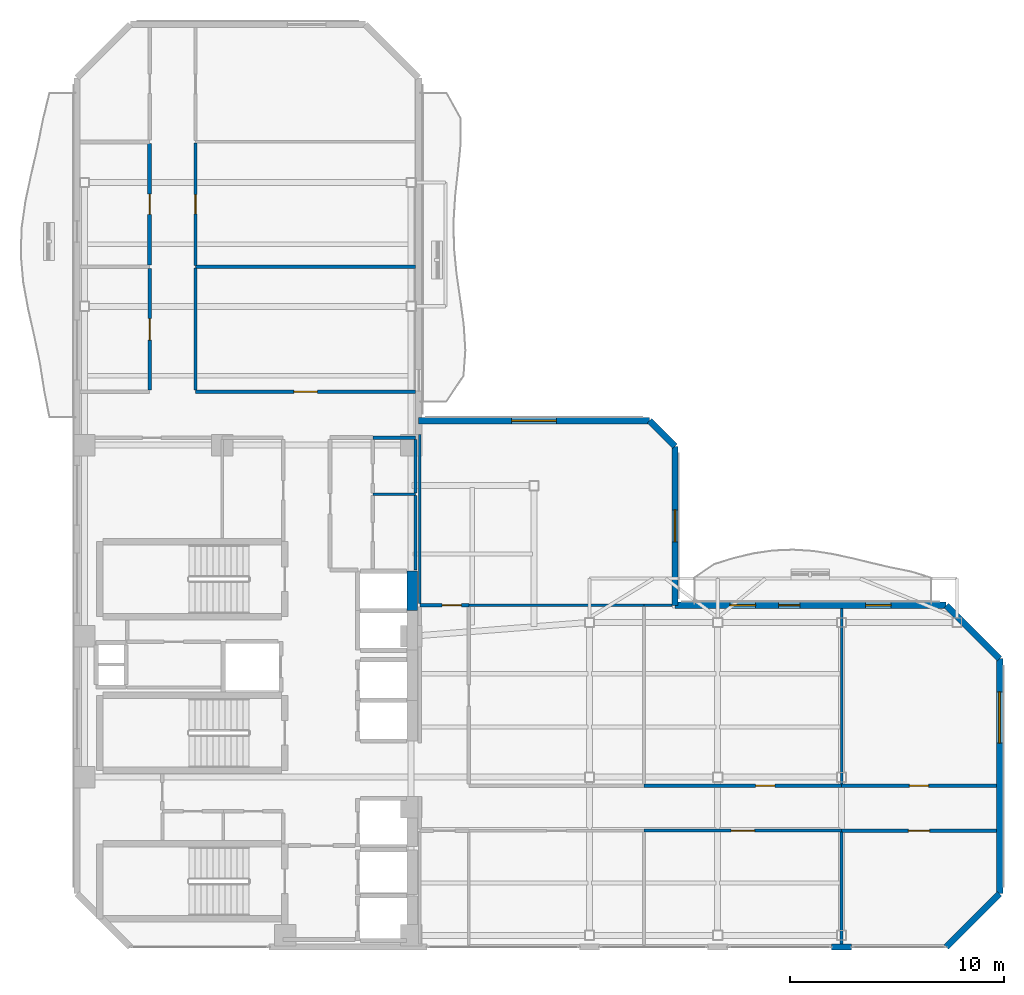
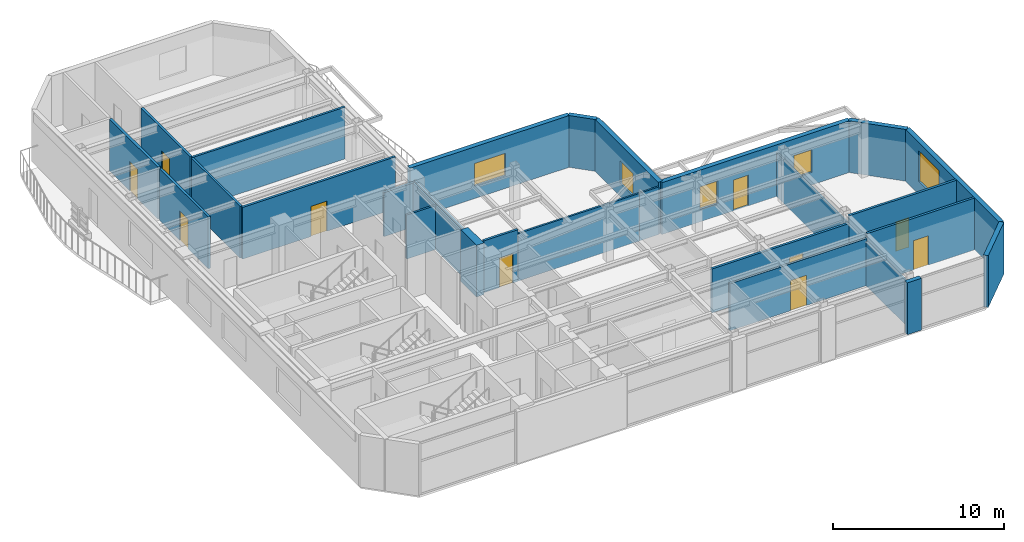
# One storey, part 11 of 17: 29 walls, 10 doors, 5 windows, 15 openings.
"""IFC4 building model written with IfcOpenShell, lengths in metres."""

from ifc_helpers import new_model, si_unit, direction, frame, frame_2d, origin, place, context, subcontext, project, spatial, rectangle, extrude, material, layer, layer_set, type_object, element, fill, save


model = new_model("IFC4")

# Units and contexts
model_context = context("Model", 3, precision=1e-05, world=origin(), true_north=direction((0.0, 1.0)))
body_context = subcontext(model_context, "Body", "Model", "MODEL_VIEW")
ifc_project = project(units=[si_unit("LENGTHUNIT", "METRE"), si_unit("AREAUNIT", "SQUARE_METRE"), si_unit("VOLUMEUNIT", "CUBIC_METRE"), si_unit("PLANEANGLEUNIT", "RADIAN"), si_unit("MASSUNIT", "GRAM", prefix="KILO")], contexts=[model_context])

# Site, building, storey
site_placement = place(None, origin())
site = spatial("IfcSite", under=ifc_project, at=site_placement, CompositionType="ELEMENT")
building_placement = place(site_placement, origin())
building = spatial("IfcBuilding", under=site, at=building_placement, Name="Mawjaban Terraces University", CompositionType="ELEMENT")
storey_placement = place(building_placement, frame((0.0, 0.0, 183.60009765625)))
storey = spatial("IfcBuildingStorey", under=building, at=storey_placement, Name="L44", CompositionType="ELEMENT", Elevation=183.60009765625)

# Wall, opening, door
ifc_material_1 = material(Name="Acoustic masonry blockwork", Category="masonry")
ifc_layer_1 = layer(ifc_material_1, 0.179931640625)
ifc_layer_set_1 = layer_set([ifc_layer_1], Name="Acoustic masonry blockwork")
wall_type_1 = type_object("IfcWallType", Name="AcousticStudioWall_180", PredefinedType="PARTITIONING", material=ifc_layer_set_1)
wall_1_placement = place(storey_placement, frame((25.39990234375, 37.614990234375, 0.0), z_axis=(0.0, 0.0, 1.0), x_axis=(0.0, -1.0, 0.0)))
wall_1 = element("IfcWall", 1, at=wall_1_placement, inside=storey, type_object=wall_type_1, Name="L44 West Shifted Academic Corridor Partition 31", PredefinedType="PARTITIONING", context=body_context, shape_type="SweptSolid", body=[
    extrude(rectangle(XDim=5.679931640625, YDim=0.179931640625, at=frame_2d((2.83984375, 0.0))), origin(), (0.0, 0.0, 1.0), 3.68994140625),
])
opening_1_placement = place(wall_1_placement, frame((2.364990234375, 0.0, 0.0)))
opening_1 = element("IfcOpeningElement", 2, at=opening_1_placement, cuts=wall_1, Name="Opening ID-095", PredefinedType="OPENING", context=body_context, shape_type="SweptSolid", body=[
    extrude(rectangle(XDim=0.949951171875, YDim=2.10009765625, at=frame_2d((0.47509765625, 1.050048828125))), frame((0.0, 0.099853515625, 0.0), z_axis=(0.0, -1.0, 0.0), x_axis=(1.0, 0.0, 0.0)), (0.0, 0.0, 1.0), 0.199951171875),
])
ifc_material_2 = material(Name="Powder-coated steel frame and solid acoustic timber leaf", Category="steel")
door_type_1 = type_object("IfcDoorType", Name="StudioDoor_950x2100", OperationType="NOTDEFINED", PredefinedType="DOOR", material=ifc_material_2)
door_1_placement = place(opening_1_placement, origin())
door_1 = element("IfcDoor", 3, at=door_1_placement, inside=storey, type_object=door_type_1, Name="L44 Design Studio 10 Door", OperationType="SINGLE_SWING_LEFT", OverallHeight=2.10009765625, OverallWidth=0.949951171875, PredefinedType="DOOR", context=body_context, shape_type="SweptSolid", body=[
    extrude(rectangle(XDim=0.949951171875, YDim=2.10009765625, at=frame_2d((0.47509765625, 1.050048828125))), frame((0.0, 0.02490234375, 0.0), z_axis=(0.0, -1.0, 0.0), x_axis=(1.0, 0.0, 0.0)), (0.0, 0.0, 1.0), 0.050048828125),
])
fill(opening_1, door_1)

# Walls
ifc_material_3 = material(Name="Concrete C60/75", Category="concrete")
ifc_layer_2 = layer(ifc_material_3, 0.5)
ifc_layer_set_2 = layer_set([ifc_layer_2], Name="Concrete C60/75")
wall_type_2 = type_object("IfcWallType", Name="CoreShearWall_500", PredefinedType="SHEAR", material=ifc_layer_set_2)
wall_2_placement = place(storey_placement, frame((37.699951171875, 15.75, 0.0), z_axis=(0.0, 0.0, 1.0), x_axis=(0.0, 1.0, 0.0)))
element("IfcWall", 4, at=wall_2_placement, inside=storey, type_object=wall_type_2, Name="L44 Lift OL-2 Hoistway Wall East", PredefinedType="SHEAR", context=body_context, shape_type="SweptSolid", body=[
    extrude(rectangle(XDim=1.85009765625, YDim=0.5, at=frame_2d((0.925048828125, 0.0))), origin(), (0.0, 0.0, 1.0), 3.68994140625),
])
ifc_material_4 = material(Name="Fire-rated gypsum board on steel stud", Category="steel")
ifc_layer_3 = layer(ifc_material_4, 0.159912109375)
ifc_layer_set_3 = layer_set([ifc_layer_3], Name="Fire-rated gypsum board on steel stud")
wall_type_3 = type_object("IfcWallType", Name="CorridorPartition_160", PredefinedType="PARTITIONING", material=ifc_layer_set_3)
wall_3_placement = place(storey_placement, frame((37.85009765625, 23.85009765625, 0.0), z_axis=(0.0, 0.0, 1.0), x_axis=(-1.0, 0.0, 0.0)))
element("IfcWall", 5, at=wall_3_placement, inside=storey, type_object=wall_type_3, Name="L44 Graduate Quiet Study Alcove Partition 15", PredefinedType="PARTITIONING", context=body_context, shape_type="SweptSolid", body=[
    extrude(rectangle(XDim=2.0, YDim=0.159912109375, at=frame_2d((1.0, 0.0))), origin(), (0.0, 0.0, 1.0), 3.138916015625),
])

# Wall, opening, door
wall_4_placement = place(storey_placement, frame((37.85009765625, 26.0, 0.0), z_axis=(0.0, 0.0, 1.0), x_axis=(-1.0, 0.0, 0.0)))
wall_4 = element("IfcWall", 6, at=wall_4_placement, inside=storey, type_object=wall_type_3, Name="L44 North Core Cross-Corridor Partition 16", PredefinedType="PARTITIONING", context=body_context, shape_type="SweptSolid", body=[
    extrude(rectangle(XDim=10.300048828125, YDim=0.159912109375, at=frame_2d((5.14990234375, 0.0))), origin(), (0.0, 0.0, 1.0), 3.68994140625),
])
opening_2_placement = place(wall_4_placement, frame((4.60009765625, 0.0, 0.0)))
opening_2 = element("IfcOpeningElement", 7, at=opening_2_placement, cuts=wall_4, Name="Opening ID-110", PredefinedType="OPENING", context=body_context, shape_type="SweptSolid", body=[
    extrude(rectangle(XDim=1.10009765625, YDim=2.14990234375, at=frame_2d((0.550048828125, 1.074951171875))), frame((0.0, 0.08984375, 0.0), z_axis=(0.0, -1.0, 0.0), x_axis=(1.0, 0.0, 0.0)), (0.0, 0.0, 1.0), 0.179931640625),
])
door_type_2 = type_object("IfcDoorType", Name="LabDoor_1100x2150", OperationType="NOTDEFINED", PredefinedType="DOOR", material=ifc_material_2)
door_2_placement = place(opening_2_placement, origin())
door_2 = element("IfcDoor", 8, at=door_2_placement, inside=storey, type_object=door_type_2, Name="L44 Computational Laboratory 9 Door", OperationType="SINGLE_SWING_RIGHT", OverallHeight=2.14990234375, OverallWidth=1.10009765625, PredefinedType="DOOR", context=body_context, shape_type="SweptSolid", body=[
    extrude(rectangle(XDim=1.10009765625, YDim=2.14990234375, at=frame_2d((0.550048828125, 1.074951171875))), frame((0.0, 0.02490234375, 0.0), z_axis=(0.0, -1.0, 0.0), x_axis=(1.0, 0.0, 0.0)), (0.0, 0.0, 1.0), 0.050048828125),
])
fill(opening_2, door_2)

wall_5_placement = place(storey_placement, frame((40.35009765625, 16.0, 0.0), z_axis=(0.0, 0.0, 1.0), x_axis=(-1.0, 0.0, 0.0)))
wall_5 = element("IfcWall", 9, at=wall_5_placement, inside=storey, type_object=wall_type_3, Name="L44 South Spine Spur Link Partition 21", PredefinedType="PARTITIONING", context=body_context, shape_type="SweptSolid", body=[
    extrude(rectangle(XDim=2.300048828125, YDim=0.159912109375, at=frame_2d((1.14990234375, 0.0))), origin(), (0.0, 0.0, 1.0), 3.68994140625),
])
opening_3_placement = place(wall_5_placement, frame((0.35009765625, 0.0, 0.0)))
opening_3 = element("IfcOpeningElement", 10, at=opening_3_placement, cuts=wall_5, Name="Opening ID-090", PredefinedType="OPENING", context=body_context, shape_type="SweptSolid", body=[
    extrude(rectangle(XDim=0.89990234375, YDim=2.10009765625, at=frame_2d((0.449951171875, 1.050048828125))), frame((0.0, 0.08984375, 0.0), z_axis=(0.0, -1.0, 0.0), x_axis=(1.0, 0.0, 0.0)), (0.0, 0.0, 1.0), 0.179931640625),
])
door_type_3 = type_object("IfcDoorType", Name="OfficeDoor_900x2100", OperationType="NOTDEFINED", PredefinedType="DOOR", material=ifc_material_2)
door_3_placement = place(opening_3_placement, origin())
door_3 = element("IfcDoor", 11, at=door_3_placement, inside=storey, type_object=door_type_3, Name="L44 Terrace Collaborative Study Room Door", OperationType="SINGLE_SWING_LEFT", OverallHeight=2.10009765625, OverallWidth=0.89990234375, PredefinedType="DOOR", context=body_context, shape_type="SweptSolid", body=[
    extrude(rectangle(XDim=0.89990234375, YDim=2.10009765625, at=frame_2d((0.449951171875, 1.050048828125))), frame((0.0, 0.02490234375, 0.0), z_axis=(0.0, -1.0, 0.0), x_axis=(1.0, 0.0, 0.0)), (0.0, 0.0, 1.0), 0.050048828125),
])
fill(opening_3, door_3)

wall_6_placement = place(storey_placement, frame((57.800048828125, 5.449951171875, 0.0), z_axis=(0.0, 0.0, 1.0), x_axis=(1.0, 0.0, 0.0)))
wall_6 = element("IfcWall", 12, at=wall_6_placement, inside=storey, type_object=wall_type_3, Name="L44 South Shifted Academic Corridor Partition 26", PredefinedType="PARTITIONING", context=body_context, shape_type="SweptSolid", body=[
    extrude(rectangle(XDim=7.2548828125, YDim=0.159912109375, at=frame_2d((3.62744140625, 0.0))), origin(), (0.0, 0.0, 1.0), 3.68994140625),
])
opening_4_placement = place(wall_6_placement, frame((3.1279296875, 0.0, 0.0)))
opening_4 = element("IfcOpeningElement", 13, at=opening_4_placement, cuts=wall_6, Name="Opening ID-100", PredefinedType="OPENING", context=body_context, shape_type="SweptSolid", body=[
    extrude(rectangle(XDim=1.0, YDim=2.10009765625, at=frame_2d((0.5, 1.050048828125))), frame((0.0, 0.08984375, 0.0), z_axis=(0.0, -1.0, 0.0), x_axis=(1.0, 0.0, 0.0)), (0.0, 0.0, 1.0), 0.179931640625),
])
door_type_4 = type_object("IfcDoorType", Name="ClassroomDoor_1000x2100", OperationType="NOTDEFINED", PredefinedType="DOOR", material=ifc_material_2)
door_4_placement = place(opening_4_placement, origin())
door_4 = element("IfcDoor", 14, at=door_4_placement, inside=storey, type_object=door_type_4, Name="L44 Classroom 6 Door", OperationType="SINGLE_SWING_LEFT", OverallHeight=2.10009765625, OverallWidth=1.0, PredefinedType="DOOR", context=body_context, shape_type="SweptSolid", body=[
    extrude(rectangle(XDim=1.0, YDim=2.10009765625, at=frame_2d((0.5, 1.050048828125))), frame((0.0, 0.02490234375, 0.0), z_axis=(0.0, -1.0, 0.0), x_axis=(1.0, 0.0, 0.0)), (0.0, 0.0, 1.0), 0.050048828125),
])
fill(opening_4, door_4)

wall_7_placement = place(storey_placement, frame((57.800048828125, 7.550048828125, 0.0), z_axis=(0.0, 0.0, 1.0), x_axis=(-1.0, 0.0, 0.0)))
wall_7 = element("IfcWall", 15, at=wall_7_placement, inside=storey, type_object=wall_type_3, Name="L44 South Shifted Academic Corridor Partition 27", PredefinedType="PARTITIONING", context=body_context, shape_type="SweptSolid", body=[
    extrude(rectangle(XDim=9.25, YDim=0.159912109375, at=frame_2d((4.625, 0.0))), origin(), (0.0, 0.0, 1.0), 3.138916015625),
])
opening_5_placement = place(wall_7_placement, frame((3.125, 0.0, 0.0)))
opening_5 = element("IfcOpeningElement", 16, at=opening_5_placement, cuts=wall_7, Name="Opening ID-090", PredefinedType="OPENING", context=body_context, shape_type="SweptSolid", body=[
    extrude(rectangle(XDim=0.89990234375, YDim=2.10009765625, at=frame_2d((0.449951171875, 1.050048828125))), frame((0.0, 0.08984375, 0.0), z_axis=(0.0, -1.0, 0.0), x_axis=(1.0, 0.0, 0.0)), (0.0, 0.0, 1.0), 0.179931640625),
])
door_5_placement = place(opening_5_placement, origin())
door_5 = element("IfcDoor", 17, at=door_5_placement, inside=storey, type_object=door_type_3, Name="L44 Seminar Room 5 Door", OperationType="SINGLE_SWING_RIGHT", OverallHeight=2.10009765625, OverallWidth=0.89990234375, PredefinedType="DOOR", context=body_context, shape_type="SweptSolid", body=[
    extrude(rectangle(XDim=0.89990234375, YDim=2.10009765625, at=frame_2d((0.449951171875, 1.050048828125))), frame((0.0, 0.02490234375, 0.0), z_axis=(0.0, -1.0, 0.0), x_axis=(1.0, 0.0, 0.0)), (0.0, 0.0, 1.0), 0.050048828125),
])
fill(opening_5, door_5)

wall_8_placement = place(storey_placement, frame((65.054931640625, 7.550048828125, 0.0), z_axis=(0.0, 0.0, 1.0), x_axis=(-1.0, 0.0, 0.0)))
wall_8 = element("IfcWall", 18, at=wall_8_placement, inside=storey, type_object=wall_type_3, Name="L44 South Shifted Academic Corridor Partition 28", PredefinedType="PARTITIONING", context=body_context, shape_type="SweptSolid", body=[
    extrude(rectangle(XDim=7.2548828125, YDim=0.159912109375, at=frame_2d((3.62744140625, 0.0))), origin(), (0.0, 0.0, 1.0), 3.68994140625),
])
opening_6_placement = place(wall_8_placement, frame((3.177978515625, 0.0, 0.0)))
opening_6 = element("IfcOpeningElement", 19, at=opening_6_placement, cuts=wall_8, Name="Opening ID-090", PredefinedType="OPENING", context=body_context, shape_type="SweptSolid", body=[
    extrude(rectangle(XDim=0.89990234375, YDim=2.10009765625, at=frame_2d((0.449951171875, 1.050048828125))), frame((0.0, 0.08984375, 0.0), z_axis=(0.0, -1.0, 0.0), x_axis=(1.0, 0.0, 0.0)), (0.0, 0.0, 1.0), 0.179931640625),
])
door_6_placement = place(opening_6_placement, origin())
door_6 = element("IfcDoor", 20, at=door_6_placement, inside=storey, type_object=door_type_3, Name="L44 Faculty Office 7 Door", OperationType="SINGLE_SWING_RIGHT", OverallHeight=2.10009765625, OverallWidth=0.89990234375, PredefinedType="DOOR", context=body_context, shape_type="SweptSolid", body=[
    extrude(rectangle(XDim=0.89990234375, YDim=2.10009765625, at=frame_2d((0.449951171875, 1.050048828125))), frame((0.0, 0.02490234375, 0.0), z_axis=(0.0, -1.0, 0.0), x_axis=(1.0, 0.0, 0.0)), (0.0, 0.0, 1.0), 0.050048828125),
])
fill(opening_6, door_6)

wall_9_placement = place(storey_placement, frame((25.39990234375, 31.764892578125, 0.0), z_axis=(0.0, 0.0, 1.0), x_axis=(0.0, -1.0, 0.0)))
wall_9 = element("IfcWall", 21, at=wall_9_placement, inside=storey, type_object=wall_type_3, Name="L44 West Shifted Academic Corridor Partition 30", PredefinedType="PARTITIONING", context=body_context, shape_type="SweptSolid", body=[
    extrude(rectangle(XDim=5.68994140625, YDim=0.159912109375, at=frame_2d((2.844970703125, 0.0))), origin(), (0.0, 0.0, 1.0), 3.68994140625),
])
opening_7_placement = place(wall_9_placement, frame((2.344970703125, 0.0, 0.0)))
opening_7 = element("IfcOpeningElement", 22, at=opening_7_placement, cuts=wall_9, Name="Opening ID-100", PredefinedType="OPENING", context=body_context, shape_type="SweptSolid", body=[
    extrude(rectangle(XDim=1.0, YDim=2.10009765625, at=frame_2d((0.5, 1.050048828125))), frame((0.0, 0.08984375, 0.0), z_axis=(0.0, -1.0, 0.0), x_axis=(1.0, 0.0, 0.0)), (0.0, 0.0, 1.0), 0.179931640625),
])
door_7_placement = place(opening_7_placement, origin())
door_7 = element("IfcDoor", 23, at=door_7_placement, inside=storey, type_object=door_type_4, Name="L44 Classroom 8 Door", OperationType="SINGLE_SWING_LEFT", OverallHeight=2.10009765625, OverallWidth=1.0, PredefinedType="DOOR", context=body_context, shape_type="SweptSolid", body=[
    extrude(rectangle(XDim=1.0, YDim=2.10009765625, at=frame_2d((0.5, 1.050048828125))), frame((0.0, 0.02490234375, 0.0), z_axis=(0.0, -1.0, 0.0), x_axis=(1.0, 0.0, 0.0)), (0.0, 0.0, 1.0), 0.050048828125),
])
fill(opening_7, door_7)

wall_10_placement = place(storey_placement, frame((27.550048828125, 31.91796875, 0.0), z_axis=(0.0, 0.0, 1.0), x_axis=(0.0, 1.0, 0.0)))
wall_10 = element("IfcWall", 24, at=wall_10_placement, inside=storey, type_object=wall_type_3, Name="L44 West Shifted Academic Corridor Partition 36", PredefinedType="PARTITIONING", context=body_context, shape_type="SweptSolid", body=[
    extrude(rectangle(XDim=5.72509765625, YDim=0.159912109375, at=frame_2d((2.862548828125, 0.0))), origin(), (0.0, 0.0, 1.0), 3.68994140625),
])
opening_8_placement = place(wall_10_placement, frame((2.4130859375, 0.0, 0.0)))
opening_8 = element("IfcOpeningElement", 25, at=opening_8_placement, cuts=wall_10, Name="Opening ID-090", PredefinedType="OPENING", context=body_context, shape_type="SweptSolid", body=[
    extrude(rectangle(XDim=0.89990234375, YDim=2.10009765625, at=frame_2d((0.449951171875, 1.050048828125))), frame((0.0, 0.08984375, 0.0), z_axis=(0.0, -1.0, 0.0), x_axis=(1.0, 0.0, 0.0)), (0.0, 0.0, 1.0), 0.179931640625),
])
door_8_placement = place(opening_8_placement, origin())
door_8 = element("IfcDoor", 26, at=door_8_placement, inside=storey, type_object=door_type_3, Name="L44 Faculty Office 11 Door", OperationType="SINGLE_SWING_RIGHT", OverallHeight=2.10009765625, OverallWidth=0.89990234375, PredefinedType="DOOR", context=body_context, shape_type="SweptSolid", body=[
    extrude(rectangle(XDim=0.89990234375, YDim=2.10009765625, at=frame_2d((0.449951171875, 1.050048828125))), frame((0.0, 0.02490234375, 0.0), z_axis=(0.0, -1.0, 0.0), x_axis=(1.0, 0.0, 0.0)), (0.0, 0.0, 1.0), 0.050048828125),
])
fill(opening_8, door_8)

# Walls
ifc_material_5 = material(Name="Insulated terracotta rainscreen on concrete backup C40/50", Category="masonry")
ifc_layer_4 = layer(ifc_material_5, 0.300048828125)
ifc_layer_set_4 = layer_set([ifc_layer_4], Name="Insulated terracotta rainscreen on concrete backup C40/50")
wall_type_4 = type_object("IfcWallType", Name="ExtTerracottaWall_300", PredefinedType="SOLIDWALL", material=ifc_layer_set_4)
wall_11_placement = place(storey_placement, frame((57.324951171875, 0.0, 0.0), z_axis=(0.0, 0.0, 1.0), x_axis=(1.0, 0.0, 0.0)))
element("IfcWall", 27, at=wall_11_placement, inside=storey, type_object=wall_type_4, Name="L44 Exterior Terracotta Pier Wall 1.4", PredefinedType="SOLIDWALL", context=body_context, shape_type="SweptSolid", body=[
    extrude(rectangle(XDim=0.949951171875, YDim=0.300048828125, at=frame_2d((0.47509765625, 0.0))), origin(), (0.0, 0.0, 1.0), 3.68994140625),
])
wall_12_placement = place(storey_placement, frame((62.699951171875, 0.0, 0.0), z_axis=(0.0, 0.0, 1.0), x_axis=(0.707106781187, 0.707106781187, 0.0)))
element("IfcWall", 28, at=wall_12_placement, inside=storey, type_object=wall_type_4, Name="L44 Exterior Terracotta Wall 2", PredefinedType="SOLIDWALL", context=body_context, shape_type="SweptSolid", body=[
    extrude(rectangle(XDim=3.53564453125, YDim=0.300048828125, at=frame_2d((1.767822265625, 0.0))), origin(), (0.0, 0.0, 1.0), 3.68994140625),
])

# Wall, opening, window
wall_13_placement = place(storey_placement, frame((65.199951171875, 2.5, 0.0), z_axis=(0.0, 0.0, 1.0), x_axis=(0.0, 1.0, 0.0)))
wall_13 = element("IfcWall", 29, at=wall_13_placement, inside=storey, type_object=wall_type_4, Name="L44 Exterior Terracotta Wall 3", PredefinedType="SOLIDWALL", context=body_context, shape_type="SweptSolid", body=[
    extrude(rectangle(XDim=11.0, YDim=0.300048828125, at=frame_2d((5.5, 0.0))), origin(), (0.0, 0.0, 1.0), 3.68994140625),
])
opening_9_placement = place(wall_13_placement, frame((7.050048828125, 0.0, 0.89990234375)))
opening_9 = element("IfcOpeningElement", 30, at=opening_9_placement, cuts=wall_13, Name="Opening W-11", PredefinedType="OPENING", context=body_context, shape_type="SweptSolid", body=[
    extrude(rectangle(XDim=2.39990234375, YDim=2.199951171875, at=frame_2d((1.199951171875, 1.10009765625))), frame((0.0, 0.159912109375, 0.0), z_axis=(0.0, -1.0, 0.0), x_axis=(1.0, 0.0, 0.0)), (0.0, 0.0, 1.0), 0.320068359375),
])
ifc_material_6 = material(Name="Low-E solar-control double glazing in thermally broken aluminium frame", Category="aluminium")
window_type_1 = type_object("IfcWindowType", Name="Win_2400x2200", PartitioningType="SINGLE_PANEL", PredefinedType="WINDOW", material=ifc_material_6)
window_1_placement = place(opening_9_placement, origin())
window_1 = element("IfcWindow", 31, at=window_1_placement, inside=storey, type_object=window_type_1, Name="L44 Facade Window 3.2", OverallHeight=2.199951171875, OverallWidth=2.39990234375, PartitioningType="SINGLE_PANEL", PredefinedType="WINDOW", context=body_context, shape_type="SweptSolid", body=[
    extrude(rectangle(XDim=2.39990234375, YDim=2.199951171875, at=frame_2d((1.199951171875, 1.10009765625))), frame((0.0, 0.030029296875, 0.0), z_axis=(0.0, -1.0, 0.0), x_axis=(1.0, 0.0, 0.0)), (0.0, 0.0, 1.0), 0.06005859375),
])
fill(opening_9, window_1)

# Wall
wall_14_placement = place(storey_placement, frame((65.199951171875, 13.5, 0.0), z_axis=(0.0, 0.0, 1.0), x_axis=(-0.707106781187, 0.707106781187, 0.0)))
element("IfcWall", 32, at=wall_14_placement, inside=storey, type_object=wall_type_4, Name="L44 Exterior Terracotta Wall 4", PredefinedType="SOLIDWALL", context=body_context, shape_type="SweptSolid", body=[
    extrude(rectangle(XDim=3.53564453125, YDim=0.300048828125, at=frame_2d((1.767822265625, 0.0))), origin(), (0.0, 0.0, 1.0), 3.68994140625),
])

# Wall, openings, door, windows
wall_15_placement = place(storey_placement, frame((62.699951171875, 16.0, 0.0), z_axis=(0.0, 0.0, 1.0), x_axis=(-1.0, 0.0, 0.0)))
wall_15 = element("IfcWall", 33, at=wall_15_placement, inside=storey, type_object=wall_type_4, Name="L44 Exterior Terracotta Wall 5", PredefinedType="SOLIDWALL", context=body_context, shape_type="SweptSolid", body=[
    extrude(rectangle(XDim=12.699951171875, YDim=0.300048828125, at=frame_2d((6.35009765625, 0.0))), origin(), (0.0, 0.0, 1.0), 3.68994140625),
])
opening_10_placement = place(wall_15_placement, frame((6.85009765625, 0.0, 0.0)))
opening_10 = element("IfcOpeningElement", 34, at=opening_10_placement, cuts=wall_15, Name="Opening BD-100", PredefinedType="OPENING", context=body_context, shape_type="SweptSolid", body=[
    extrude(rectangle(XDim=1.0, YDim=2.199951171875, at=frame_2d((0.5, 1.10009765625))), frame((0.0, 0.159912109375, 0.0), z_axis=(0.0, -1.0, 0.0), x_axis=(1.0, 0.0, 0.0)), (0.0, 0.0, 1.0), 0.320068359375),
])
opening_11_placement = place(wall_15_placement, frame((2.574951171875, 0.0, 0.89990234375)))
opening_11 = element("IfcOpeningElement", 35, at=opening_11_placement, cuts=wall_15, Name="Opening W-01", PredefinedType="OPENING", context=body_context, shape_type="SweptSolid", body=[
    extrude(rectangle(XDim=1.199951171875, YDim=1.60009765625, at=frame_2d((0.60009765625, 0.800048828125))), frame((0.0, 0.159912109375, 0.0), z_axis=(0.0, -1.0, 0.0), x_axis=(1.0, 0.0, 0.0)), (0.0, 0.0, 1.0), 0.320068359375),
])
opening_12_placement = place(wall_15_placement, frame((8.925048828125, 0.0, 0.89990234375)))
opening_12 = element("IfcOpeningElement", 36, at=opening_12_placement, cuts=wall_15, Name="Opening W-01", PredefinedType="OPENING", context=body_context, shape_type="SweptSolid", body=[
    extrude(rectangle(XDim=1.199951171875, YDim=1.60009765625, at=frame_2d((0.60009765625, 0.800048828125))), frame((0.0, 0.159912109375, 0.0), z_axis=(0.0, -1.0, 0.0), x_axis=(1.0, 0.0, 0.0)), (0.0, 0.0, 1.0), 0.320068359375),
])
ifc_material_7 = material(Name="Thermally broken anodised aluminium and laminated safety glass", Category="aluminium")
door_type_5 = type_object("IfcDoorType", Name="BalconyGlazedDoor_1000x2200", OperationType="NOTDEFINED", PredefinedType="DOOR", material=ifc_material_7)
door_9_placement = place(opening_10_placement, origin())
door_9 = element("IfcDoor", 37, at=door_9_placement, inside=storey, type_object=door_type_5, Name="L44 Balcony Access Door inner_north", OperationType="SINGLE_SWING_LEFT", OverallHeight=2.199951171875, OverallWidth=1.0, PredefinedType="DOOR", context=body_context, shape_type="SweptSolid", body=[
    extrude(rectangle(XDim=1.0, YDim=2.199951171875, at=frame_2d((0.5, 1.10009765625))), frame((0.0, 0.02490234375, 0.0), z_axis=(0.0, -1.0, 0.0), x_axis=(1.0, 0.0, 0.0)), (0.0, 0.0, 1.0), 0.050048828125),
])
fill(opening_10, door_9)
window_type_2 = type_object("IfcWindowType", Name="Win_1200x1600", PartitioningType="SINGLE_PANEL", PredefinedType="WINDOW", material=ifc_material_6)
window_2_placement = place(opening_11_placement, origin())
window_2 = element("IfcWindow", 38, at=window_2_placement, inside=storey, type_object=window_type_2, Name="L44 Facade Window 5.1", OverallHeight=1.60009765625, OverallWidth=1.199951171875, PartitioningType="SINGLE_PANEL", PredefinedType="WINDOW", context=body_context, shape_type="SweptSolid", body=[
    extrude(rectangle(XDim=1.199951171875, YDim=1.60009765625, at=frame_2d((0.60009765625, 0.800048828125))), frame((0.0, 0.030029296875, 0.0), z_axis=(0.0, -1.0, 0.0), x_axis=(1.0, 0.0, 0.0)), (0.0, 0.0, 1.0), 0.06005859375),
])
fill(opening_11, window_2)
window_3_placement = place(opening_12_placement, origin())
window_3 = element("IfcWindow", 39, at=window_3_placement, inside=storey, type_object=window_type_2, Name="L44 Facade Window 5.2", OverallHeight=1.60009765625, OverallWidth=1.199951171875, PartitioningType="SINGLE_PANEL", PredefinedType="WINDOW", context=body_context, shape_type="SweptSolid", body=[
    extrude(rectangle(XDim=1.199951171875, YDim=1.60009765625, at=frame_2d((0.60009765625, 0.800048828125))), frame((0.0, 0.030029296875, 0.0), z_axis=(0.0, -1.0, 0.0), x_axis=(1.0, 0.0, 0.0)), (0.0, 0.0, 1.0), 0.06005859375),
])
fill(opening_12, window_3)

# Wall, opening, window
wall_16_placement = place(storey_placement, frame((50.0, 16.0, 0.0), z_axis=(0.0, 0.0, 1.0), x_axis=(0.0, 1.0, 0.0)))
wall_16 = element("IfcWall", 40, at=wall_16_placement, inside=storey, type_object=wall_type_4, Name="L44 Exterior Terracotta Wall 6", PredefinedType="SOLIDWALL", context=body_context, shape_type="SweptSolid", body=[
    extrude(rectangle(XDim=7.43994140625, YDim=0.300048828125, at=frame_2d((3.719970703125, 0.0))), origin(), (0.0, 0.0, 1.0), 3.68994140625),
])
opening_13_placement = place(wall_16_placement, frame((2.969970703125, 0.0, 0.89990234375)))
opening_13 = element("IfcOpeningElement", 41, at=opening_13_placement, cuts=wall_16, Name="Opening W-02", PredefinedType="OPENING", context=body_context, shape_type="SweptSolid", body=[
    extrude(rectangle(XDim=1.5, YDim=1.60009765625, at=frame_2d((0.75, 0.800048828125))), frame((0.0, 0.159912109375, 0.0), z_axis=(0.0, -1.0, 0.0), x_axis=(1.0, 0.0, 0.0)), (0.0, 0.0, 1.0), 0.320068359375),
])
window_type_3 = type_object("IfcWindowType", Name="Win_1500x1600", PartitioningType="SINGLE_PANEL", PredefinedType="WINDOW", material=ifc_material_6)
window_4_placement = place(opening_13_placement, origin())
window_4 = element("IfcWindow", 42, at=window_4_placement, inside=storey, type_object=window_type_3, Name="L44 Facade Window 6.1", OverallHeight=1.60009765625, OverallWidth=1.5, PartitioningType="SINGLE_PANEL", PredefinedType="WINDOW", context=body_context, shape_type="SweptSolid", body=[
    extrude(rectangle(XDim=1.5, YDim=1.60009765625, at=frame_2d((0.75, 0.800048828125))), frame((0.0, 0.030029296875, 0.0), z_axis=(0.0, -1.0, 0.0), x_axis=(1.0, 0.0, 0.0)), (0.0, 0.0, 1.0), 0.06005859375),
])
fill(opening_13, window_4)

# Wall
wall_17_placement = place(storey_placement, frame((50.0, 23.43994140625, 0.0), z_axis=(0.0, 0.0, 1.0), x_axis=(-0.707106781187, 0.707106781187, 0.0)))
element("IfcWall", 43, at=wall_17_placement, inside=storey, type_object=wall_type_4, Name="L44 Exterior Terracotta Wall 7", PredefinedType="SOLIDWALL", context=body_context, shape_type="SweptSolid", body=[
    extrude(rectangle(XDim=1.697021484375, YDim=0.300048828125, at=frame_2d((0.8486328125, 0.0))), origin(), (0.0, 0.0, 1.0), 3.68994140625),
])

# Wall, opening, window
wall_18_placement = place(storey_placement, frame((48.800048828125, 24.639892578125, 0.0), z_axis=(0.0, 0.0, 1.0), x_axis=(-1.0, 0.0, 0.0)))
wall_18 = element("IfcWall", 44, at=wall_18_placement, inside=storey, type_object=wall_type_4, Name="L44 Exterior Terracotta Wall 8", PredefinedType="SOLIDWALL", context=body_context, shape_type="SweptSolid", body=[
    extrude(rectangle(XDim=10.800048828125, YDim=0.300048828125, at=frame_2d((5.39990234375, 0.0))), origin(), (0.0, 0.0, 1.0), 3.68994140625),
])
opening_14_placement = place(wall_18_placement, frame((4.35009765625, 0.0, 0.89990234375)))
opening_14 = element("IfcOpeningElement", 45, at=opening_14_placement, cuts=wall_18, Name="Opening W-04", PredefinedType="OPENING", context=body_context, shape_type="SweptSolid", body=[
    extrude(rectangle(XDim=2.10009765625, YDim=1.60009765625, at=frame_2d((1.050048828125, 0.800048828125))), frame((0.0, 0.159912109375, 0.0), z_axis=(0.0, -1.0, 0.0), x_axis=(1.0, 0.0, 0.0)), (0.0, 0.0, 1.0), 0.320068359375),
])
window_type_4 = type_object("IfcWindowType", Name="Win_2100x1600", PartitioningType="SINGLE_PANEL", PredefinedType="WINDOW", material=ifc_material_6)
window_5_placement = place(opening_14_placement, origin())
window_5 = element("IfcWindow", 46, at=window_5_placement, inside=storey, type_object=window_type_4, Name="L44 Facade Window 8.1", OverallHeight=1.60009765625, OverallWidth=2.10009765625, PartitioningType="SINGLE_PANEL", PredefinedType="WINDOW", context=body_context, shape_type="SweptSolid", body=[
    extrude(rectangle(XDim=2.10009765625, YDim=1.60009765625, at=frame_2d((1.050048828125, 0.800048828125))), frame((0.0, 0.030029296875, 0.0), z_axis=(0.0, -1.0, 0.0), x_axis=(1.0, 0.0, 0.0)), (0.0, 0.0, 1.0), 0.06005859375),
])
fill(opening_14, window_5)

# Wall
ifc_material_8 = material(Name="Moisture-resistant gypsum board on steel stud", Category="steel")
ifc_layer_5 = layer(ifc_material_8, 0.14501953125)
ifc_layer_set_5 = layer_set([ifc_layer_5], Name="Moisture-resistant gypsum board on steel stud")
wall_type_5 = type_object("IfcWallType", Name="LabPartition_145", PredefinedType="PARTITIONING", material=ifc_layer_set_5)
wall_19_placement = place(storey_placement, frame((37.85009765625, 31.85009765625, 0.0), z_axis=(0.0, 0.0, 1.0), x_axis=(-1.0, 0.0, 0.0)))
element("IfcWall", 47, at=wall_19_placement, inside=storey, type_object=wall_type_5, Name="L44 Computational Laboratory 9 Partition 17", PredefinedType="PARTITIONING", context=body_context, shape_type="SweptSolid", body=[
    extrude(rectangle(XDim=10.300048828125, YDim=0.14501953125, at=frame_2d((5.14990234375, 0.0))), origin(), (0.0, 0.0, 1.0), 3.68994140625),
])

# Wall, opening, door
wall_20_placement = place(storey_placement, frame((48.550048828125, 5.449951171875, 0.0), z_axis=(0.0, 0.0, 1.0), x_axis=(1.0, 0.0, 0.0)))
wall_20 = element("IfcWall", 48, at=wall_20_placement, inside=storey, type_object=wall_type_5, Name="L44 South Shifted Academic Corridor Partition 22", PredefinedType="PARTITIONING", context=body_context, shape_type="SweptSolid", body=[
    extrude(rectangle(XDim=9.25, YDim=0.14501953125, at=frame_2d((4.625, 0.0))), origin(), (0.0, 0.0, 1.0), 3.343017578125),
])
opening_15_placement = place(wall_20_placement, frame((4.074951171875, 0.0, 0.0)))
opening_15 = element("IfcOpeningElement", 49, at=opening_15_placement, cuts=wall_20, Name="Opening ID-110", PredefinedType="OPENING", context=body_context, shape_type="SweptSolid", body=[
    extrude(rectangle(XDim=1.10009765625, YDim=2.14990234375, at=frame_2d((0.550048828125, 1.074951171875))), frame((0.0, 0.08251953125, 0.0), z_axis=(0.0, -1.0, 0.0), x_axis=(1.0, 0.0, 0.0)), (0.0, 0.0, 1.0), 0.1650390625),
])
door_10_placement = place(opening_15_placement, origin())
door_10 = element("IfcDoor", 50, at=door_10_placement, inside=storey, type_object=door_type_2, Name="L44 Teaching Laboratory 4 Door", OperationType="SINGLE_SWING_LEFT", OverallHeight=2.14990234375, OverallWidth=1.10009765625, PredefinedType="DOOR", context=body_context, shape_type="SweptSolid", body=[
    extrude(rectangle(XDim=1.10009765625, YDim=2.14990234375, at=frame_2d((0.550048828125, 1.074951171875))), frame((0.0, 0.02490234375, 0.0), z_axis=(0.0, -1.0, 0.0), x_axis=(1.0, 0.0, 0.0)), (0.0, 0.0, 1.0), 0.050048828125),
])
fill(opening_15, door_10)

# Walls
wall_21_placement = place(storey_placement, frame((27.550048828125, 26.074951171875, 0.0), z_axis=(0.0, 0.0, 1.0), x_axis=(0.0, 1.0, 0.0)))
element("IfcWall", 51, at=wall_21_placement, inside=storey, type_object=wall_type_5, Name="L44 West Shifted Academic Corridor Partition 35", PredefinedType="PARTITIONING", context=body_context, shape_type="SweptSolid", body=[
    extrude(rectangle(XDim=5.7080078125, YDim=0.14501953125, at=frame_2d((2.85400390625, 0.0))), origin(), (0.0, 0.0, 1.0), 3.68994140625),
])
wall_22_placement = place(storey_placement, frame((57.800048828125, 0.14501953125, 0.0), z_axis=(0.0, 0.0, 1.0), x_axis=(0.0, 1.0, 0.0)))
element("IfcWall", 52, at=wall_22_placement, inside=storey, type_object=wall_type_5, Name="L44 Teaching Laboratory 4 Partition 55", PredefinedType="PARTITIONING", context=body_context, shape_type="SweptSolid", body=[
    extrude(rectangle(XDim=5.22998046875, YDim=0.14501953125, at=frame_2d((2.614990234375, 0.0))), origin(), (0.0, 0.0, 1.0), 3.138916015625),
])
ifc_material_9 = material(Name="Gypsum plasterboard on steel stud", Category="steel")
ifc_layer_6 = layer(ifc_material_9, 0.125)
ifc_layer_set_6 = layer_set([ifc_layer_6], Name="Gypsum plasterboard on steel stud")
wall_type_6 = type_object("IfcWallType", Name="OfficePartition_125", PredefinedType="PARTITIONING", material=ifc_layer_set_6)
wall_23_placement = place(storey_placement, frame((35.85009765625, 21.199951171875, 0.0), z_axis=(0.0, 0.0, 1.0), x_axis=(1.0, 0.0, 0.0)))
element("IfcWall", 53, at=wall_23_placement, inside=storey, type_object=wall_type_6, Name="L44 Graduate Quiet Study Alcove Partition 13", PredefinedType="PARTITIONING", context=body_context, shape_type="SweptSolid", body=[
    extrude(rectangle(XDim=2.0, YDim=0.125, at=frame_2d((1.0, 0.0))), origin(), (0.0, 0.0, 1.0), 3.138916015625),
])
wall_24_placement = place(storey_placement, frame((48.550048828125, 16.0, 0.0), z_axis=(0.0, 0.0, 1.0), x_axis=(-1.0, 0.0, 0.0)))
element("IfcWall", 54, at=wall_24_placement, inside=storey, type_object=wall_type_6, Name="L44 Classroom 3 Partition 25", PredefinedType="PARTITIONING", context=body_context, shape_type="SweptSolid", body=[
    extrude(rectangle(XDim=8.199951171875, YDim=0.125, at=frame_2d((4.10009765625, 0.0))), origin(), (0.0, 0.0, 1.0), 3.389892578125),
])
wall_25_placement = place(storey_placement, frame((37.85009765625, 17.64990234375, 0.0), z_axis=(0.0, 0.0, 1.0), x_axis=(0.0, 1.0, 0.0)))
element("IfcWall", 55, at=wall_25_placement, inside=storey, type_object=wall_type_6, Name="L44 Research Instrument Store Partition 45", PredefinedType="PARTITIONING", context=body_context, shape_type="SweptSolid", body=[
    extrude(rectangle(XDim=3.4921875, YDim=0.125, at=frame_2d((1.74609375, 0.0))), origin(), (0.0, 0.0, 1.0), 3.138916015625),
])
wall_26_placement = place(storey_placement, frame((37.85009765625, 21.258056640625, 0.0), z_axis=(0.0, 0.0, 1.0), x_axis=(0.0, 1.0, 0.0)))
element("IfcWall", 56, at=wall_26_placement, inside=storey, type_object=wall_type_6, Name="L44 Graduate Quiet Study Alcove Partition 46", PredefinedType="PARTITIONING", context=body_context, shape_type="SweptSolid", body=[
    extrude(rectangle(XDim=2.516845703125, YDim=0.125, at=frame_2d((1.25830078125, 0.0))), origin(), (0.0, 0.0, 1.0), 3.138916015625),
])
wall_27_placement = place(storey_placement, frame((38.050048828125, 24.0, 0.0), z_axis=(0.0, 0.0, 1.0), x_axis=(0.0, -1.0, 0.0)))
element("IfcWall", 57, at=wall_27_placement, inside=storey, type_object=wall_type_6, Name="L44 Terrace Collaborative Study Room Partition 50", PredefinedType="PARTITIONING", context=body_context, shape_type="SweptSolid", body=[
    extrude(rectangle(XDim=7.925048828125, YDim=0.125, at=frame_2d((3.96240234375, 0.0))), origin(), (0.0, 0.0, 1.0), 3.138916015625),
])
ifc_material_10 = material(Name="Acoustic operable panel partition", Category="masonry")
ifc_layer_7 = layer(ifc_material_10, 0.110107421875)
ifc_layer_set_7 = layer_set([ifc_layer_7], Name="Acoustic operable panel partition")
wall_type_7 = type_object("IfcWallType", Name="OperableSeminarWall_110", PredefinedType="MOVABLE", material=ifc_layer_set_7)
wall_28_placement = place(storey_placement, frame((48.550048828125, 16.0, 0.0), z_axis=(0.0, 0.0, 1.0), x_axis=(1.0, 0.0, 0.0)))
element("IfcWall", 58, at=wall_28_placement, inside=storey, type_object=wall_type_7, Name="L44 Terrace Collaborative Study Room Partition 24", PredefinedType="MOVABLE", context=body_context, shape_type="SweptSolid", body=[
    extrude(rectangle(XDim=1.304931640625, YDim=0.110107421875, at=frame_2d((0.65234375, 0.0))), origin(), (0.0, 0.0, 1.0), 3.389892578125),
])
wall_29_placement = place(storey_placement, frame((57.800048828125, 7.625, 0.0), z_axis=(0.0, 0.0, 1.0), x_axis=(0.0, 1.0, 0.0)))
element("IfcWall", 59, at=wall_29_placement, inside=storey, type_object=wall_type_7, Name="L44 Seminar Room 5 Partition 56", PredefinedType="MOVABLE", context=body_context, shape_type="SweptSolid", body=[
    extrude(rectangle(XDim=8.22998046875, YDim=0.110107421875, at=frame_2d((4.114990234375, 0.0))), origin(), (0.0, 0.0, 1.0), 3.138916015625),
])

save(model, "model.ifc")
